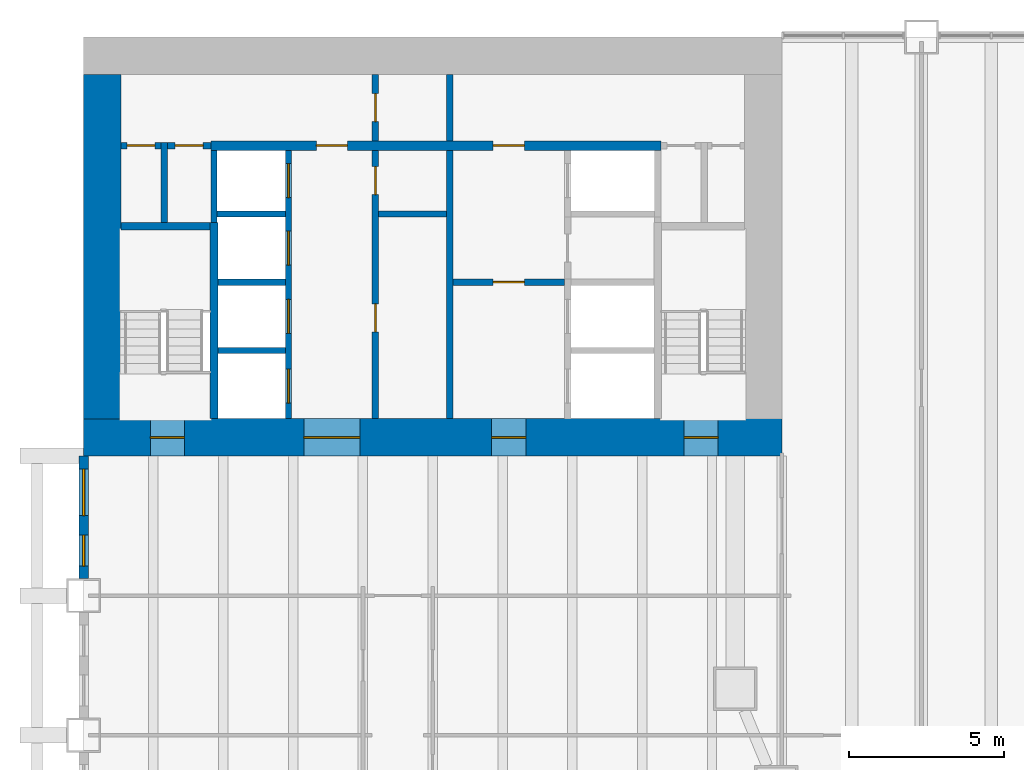
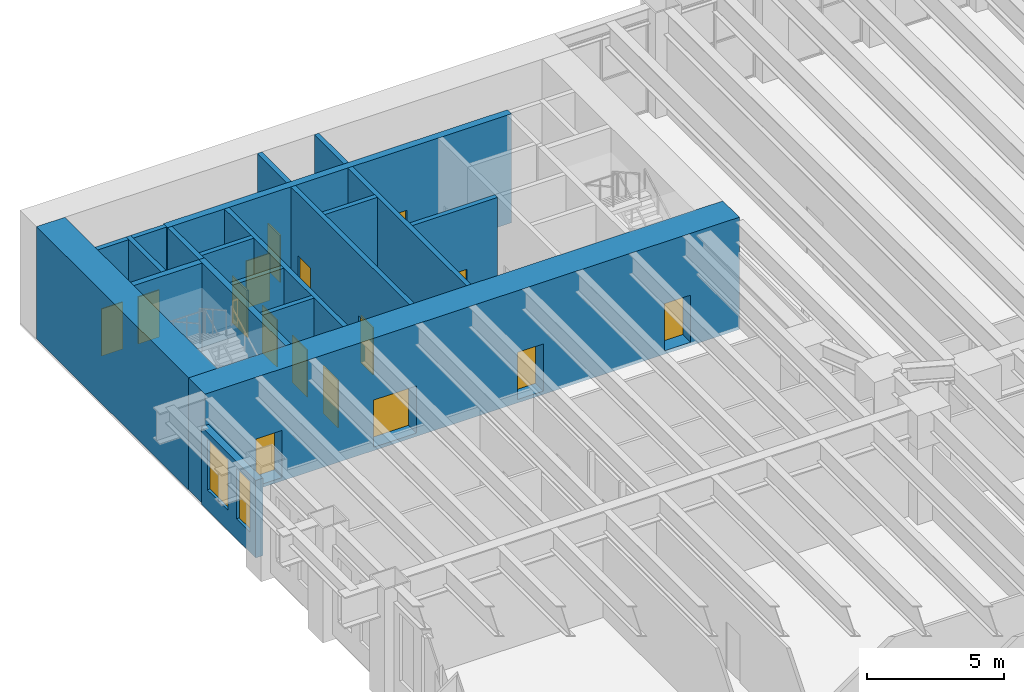
# One storey, part 15 of 21: 20 walls, 16 doors, 2 windows, 18 openings.
"""IFC4 building model written with IfcOpenShell, lengths in metres."""

from ifc_helpers import new_model, si_unit, direction, frame, frame_2d, origin, place, context, subcontext, project, spatial, rectangle, extrude, material, layer, layer_set, type_object, element, fill, save


model = new_model("IFC4")

# Units and contexts
model_context = context("Model", 3, precision=1e-05, world=origin(), true_north=direction((0.0, 1.0)))
body_context = subcontext(model_context, "Body", "Model", "MODEL_VIEW")
ifc_project = project(units=[si_unit("LENGTHUNIT", "METRE"), si_unit("AREAUNIT", "SQUARE_METRE"), si_unit("VOLUMEUNIT", "CUBIC_METRE"), si_unit("PLANEANGLEUNIT", "RADIAN"), si_unit("MASSUNIT", "GRAM", prefix="KILO")], contexts=[model_context])

# Site, building, storey
site_placement = place(None, origin())
site = spatial("IfcSite", under=ifc_project, at=site_placement, CompositionType="ELEMENT")
building_placement = place(site_placement, origin())
building = spatial("IfcBuilding", under=site, at=building_placement, Name="Sennacour Bend Tower", CompositionType="ELEMENT")
storey_placement = place(building_placement, frame((0.0, 0.0, 24.0)))
storey = spatial("IfcBuildingStorey", under=building, at=storey_placement, Name="L04", CompositionType="ELEMENT", Elevation=24.0)

# Wall, openings, doors
ifc_material_1 = material(Name="Concrete C80/95", Category="concrete")
ifc_layer_1 = layer(ifc_material_1, 1.199951171875, Name="Concrete C80/95", Category="concrete")
ifc_layer_set_1 = layer_set([ifc_layer_1], Name="Concrete C80/95")
wall_type_1 = type_object("IfcWallType", Name="Core wall 1200 C80/95", PredefinedType="SHEAR", material=ifc_layer_set_1)
wall_1_placement = place(storey_placement, frame((0.0, 36.60009765625, -0.14990234375), z_axis=(0.0, 0.0, 1.0), x_axis=(1.0, 0.0, 0.0)))
wall_1 = element("IfcWall", 1, at=wall_1_placement, inside=storey, type_object=wall_type_1, Name="Core B wall L04 S", PredefinedType="SHEAR", context=body_context, shape_type="SweptSolid", body=[
    extrude(rectangle(XDim=22.5, YDim=1.199951171875, at=frame_2d((11.25, 0.0))), origin(), (0.0, 0.0, 1.0), 5.0),
])
opening_1_placement = place(wall_1_placement, frame((7.10009765625, 0.0, 0.14990234375)))
opening_1 = element("IfcOpeningElement", 2, at=opening_1_placement, cuts=wall_1, Name="Opening CD", PredefinedType="OPENING", context=body_context, shape_type="SweptSolid", body=[
    extrude(rectangle(XDim=1.800048828125, YDim=2.10009765625, at=frame_2d((0.89990234375, 1.050048828125))), frame((0.0, 0.60986328125, 0.0), z_axis=(0.0, -1.0, 0.0), x_axis=(1.0, 0.0, 0.0)), (0.0, 0.0, 1.0), 1.219970703125),
])
opening_2_placement = place(wall_1_placement, frame((13.14990234375, 0.0, 0.14990234375)))
opening_2 = element("IfcOpeningElement", 3, at=opening_2_placement, cuts=wall_1, Name="Opening FD", PredefinedType="OPENING", context=body_context, shape_type="SweptSolid", body=[
    extrude(rectangle(XDim=1.10009765625, YDim=2.10009765625, at=frame_2d((0.550048828125, 1.050048828125))), frame((0.0, 0.60986328125, 0.0), z_axis=(0.0, -1.0, 0.0), x_axis=(1.0, 0.0, 0.0)), (0.0, 0.0, 1.0), 1.219970703125),
])
opening_3_placement = place(wall_1_placement, frame((2.14990234375, 0.0, 0.14990234375)))
opening_3 = element("IfcOpeningElement", 4, at=opening_3_placement, cuts=wall_1, Name="Opening SD", PredefinedType="OPENING", context=body_context, shape_type="SweptSolid", body=[
    extrude(rectangle(XDim=1.10009765625, YDim=2.10009765625, at=frame_2d((0.550048828125, 1.050048828125))), frame((0.0, 0.60986328125, 0.0), z_axis=(0.0, -1.0, 0.0), x_axis=(1.0, 0.0, 0.0)), (0.0, 0.0, 1.0), 1.219970703125),
])
opening_4_placement = place(wall_1_placement, frame((19.35009765625, 0.0, 0.14990234375)))
opening_4 = element("IfcOpeningElement", 5, at=opening_4_placement, cuts=wall_1, Name="Opening SD", PredefinedType="OPENING", context=body_context, shape_type="SweptSolid", body=[
    extrude(rectangle(XDim=1.10009765625, YDim=2.10009765625, at=frame_2d((0.550048828125, 1.050048828125))), frame((0.0, 0.60986328125, 0.0), z_axis=(0.0, -1.0, 0.0), x_axis=(1.0, 0.0, 0.0)), (0.0, 0.0, 1.0), 1.219970703125),
])
ifc_material_2 = material(Name="Painted steel", Category="steel")
door_type_1 = type_object("IfcDoorType", Name="DR-FFL-1100", OperationType="NOTDEFINED", PredefinedType="DOOR", material=ifc_material_2)
door_1_placement = place(opening_2_placement, origin())
door_1 = element("IfcDoor", 6, at=door_1_placement, inside=storey, type_object=door_type_1, Name="Door", OperationType="SINGLE_SWING_RIGHT", OverallHeight=2.10009765625, OverallWidth=1.10009765625, PredefinedType="DOOR", context=body_context, shape_type="SweptSolid", body=[
    extrude(rectangle(XDim=1.10009765625, YDim=2.10009765625, at=frame_2d((0.550048828125, 1.050048828125))), frame((0.0, 0.02490234375, 0.0), z_axis=(0.0, -1.0, 0.0), x_axis=(1.0, 0.0, 0.0)), (0.0, 0.0, 1.0), 0.050048828125),
])
fill(opening_2, door_1)
door_type_2 = type_object("IfcDoorType", Name="DR-LOBBY-1800", OperationType="NOTDEFINED", PredefinedType="DOOR", material=ifc_material_2)
door_2_placement = place(opening_1_placement, origin())
door_2 = element("IfcDoor", 7, at=door_2_placement, inside=storey, type_object=door_type_2, Name="Door", OperationType="DOUBLE_DOOR_SINGLE_SWING", OverallHeight=2.10009765625, OverallWidth=1.800048828125, PredefinedType="DOOR", context=body_context, shape_type="SweptSolid", body=[
    extrude(rectangle(XDim=1.800048828125, YDim=2.10009765625, at=frame_2d((0.89990234375, 1.050048828125))), frame((0.0, 0.02490234375, 0.0), z_axis=(0.0, -1.0, 0.0), x_axis=(1.0, 0.0, 0.0)), (0.0, 0.0, 1.0), 0.050048828125),
])
fill(opening_1, door_2)
door_type_3 = type_object("IfcDoorType", Name="DR-STAIR-1100", OperationType="NOTDEFINED", PredefinedType="DOOR", material=ifc_material_2)
door_3_placement = place(opening_3_placement, origin())
door_3 = element("IfcDoor", 8, at=door_3_placement, inside=storey, type_object=door_type_3, Name="Door", OperationType="SINGLE_SWING_LEFT", OverallHeight=2.10009765625, OverallWidth=1.10009765625, PredefinedType="DOOR", context=body_context, shape_type="SweptSolid", body=[
    extrude(rectangle(XDim=1.10009765625, YDim=2.10009765625, at=frame_2d((0.550048828125, 1.050048828125))), frame((0.0, 0.02490234375, 0.0), z_axis=(0.0, -1.0, 0.0), x_axis=(1.0, 0.0, 0.0)), (0.0, 0.0, 1.0), 0.050048828125),
])
fill(opening_3, door_3)
door_4_placement = place(opening_4_placement, origin())
door_4 = element("IfcDoor", 9, at=door_4_placement, inside=storey, type_object=door_type_3, Name="Door", OperationType="SINGLE_SWING_RIGHT", OverallHeight=2.10009765625, OverallWidth=1.10009765625, PredefinedType="DOOR", context=body_context, shape_type="SweptSolid", body=[
    extrude(rectangle(XDim=1.10009765625, YDim=2.10009765625, at=frame_2d((0.550048828125, 1.050048828125))), frame((0.0, 0.02490234375, 0.0), z_axis=(0.0, -1.0, 0.0), x_axis=(1.0, 0.0, 0.0)), (0.0, 0.0, 1.0), 0.050048828125),
])
fill(opening_4, door_4)

# Walls
wall_2_placement = place(storey_placement, frame((0.60009765625, 37.199951171875, -0.14990234375), z_axis=(0.0, 0.0, 1.0), x_axis=(0.0, 1.0, 0.0)))
element("IfcWall", 10, at=wall_2_placement, inside=storey, type_object=wall_type_1, Name="Core B wall L04 W", PredefinedType="SHEAR", context=body_context, shape_type="SweptSolid", body=[
    extrude(rectangle(XDim=11.10009765625, YDim=1.199951171875, at=frame_2d((5.550048828125, 0.0))), origin(), (0.0, 0.0, 1.0), 5.0),
])
ifc_material_3 = material(Name="Fire-rated plasterboard partition on steel studs", Category="steel")
ifc_layer_2 = layer(ifc_material_3, 0.199951171875, Name="Fire-rated plasterboard partition on steel studs", Category="steel")
ifc_layer_set_2 = layer_set([ifc_layer_2], Name="Fire-rated plasterboard partition on steel studs")
wall_type_2 = type_object("IfcWallType", Name="Rated partition 200", PredefinedType="PARTITIONING", material=ifc_layer_set_2)
wall_3_placement = place(storey_placement, frame((2.60009765625, 43.52490234375, 0.0), z_axis=(0.0, 0.0, 1.0), x_axis=(0.0, 1.0, 0.0)))
element("IfcWall", 11, at=wall_3_placement, inside=storey, type_object=wall_type_2, Name="P-L04-W003", PredefinedType="PARTITIONING", context=body_context, shape_type="SweptSolid", body=[
    extrude(rectangle(XDim=2.5751953125, YDim=0.199951171875, at=frame_2d((1.28759765625, 0.0))), origin(), (0.0, 0.0, 1.0), 4.85009765625),
])

# Wall, openings, doors
wall_4_placement = place(storey_placement, frame((9.39990234375, 37.199951171875, 0.0), z_axis=(0.0, 0.0, 1.0), x_axis=(0.0, 1.0, 0.0)))
wall_4 = element("IfcWall", 12, at=wall_4_placement, inside=storey, type_object=wall_type_2, Name="P-L04-W011a", PredefinedType="PARTITIONING", context=body_context, shape_type="SweptSolid", body=[
    extrude(rectangle(XDim=8.650146484375, YDim=0.199951171875, at=frame_2d((4.3251953125, 0.0))), origin(), (0.0, 0.0, 1.0), 4.85009765625),
])
opening_5_placement = place(wall_4_placement, frame((2.800048828125, 0.0, 0.0)))
opening_5 = element("IfcOpeningElement", 13, at=opening_5_placement, cuts=wall_4, Name="Opening SV", PredefinedType="OPENING", context=body_context, shape_type="SweptSolid", body=[
    extrude(rectangle(XDim=0.89990234375, YDim=2.10009765625, at=frame_2d((0.449951171875, 1.050048828125))), frame((0.0, 0.10986328125, 0.0), z_axis=(0.0, -1.0, 0.0), x_axis=(1.0, 0.0, 0.0)), (0.0, 0.0, 1.0), 0.219970703125),
])
opening_6_placement = place(wall_4_placement, frame((7.22509765625, 0.0, 0.0)))
opening_6 = element("IfcOpeningElement", 14, at=opening_6_placement, cuts=wall_4, Name="Opening SV", PredefinedType="OPENING", context=body_context, shape_type="SweptSolid", body=[
    extrude(rectangle(XDim=0.89990234375, YDim=2.10009765625, at=frame_2d((0.449951171875, 1.050048828125))), frame((0.0, 0.10986328125, 0.0), z_axis=(0.0, -1.0, 0.0), x_axis=(1.0, 0.0, 0.0)), (0.0, 0.0, 1.0), 0.219970703125),
])
door_type_4 = type_object("IfcDoorType", Name="DR-SERVICE-900", OperationType="NOTDEFINED", PredefinedType="DOOR", material=ifc_material_2)
door_5_placement = place(opening_5_placement, origin())
door_5 = element("IfcDoor", 15, at=door_5_placement, inside=storey, type_object=door_type_4, Name="Door", OperationType="SINGLE_SWING_LEFT", OverallHeight=2.10009765625, OverallWidth=0.89990234375, PredefinedType="DOOR", context=body_context, shape_type="SweptSolid", body=[
    extrude(rectangle(XDim=0.89990234375, YDim=2.10009765625, at=frame_2d((0.449951171875, 1.050048828125))), frame((0.0, 0.02490234375, 0.0), z_axis=(0.0, -1.0, 0.0), x_axis=(1.0, 0.0, 0.0)), (0.0, 0.0, 1.0), 0.050048828125),
])
fill(opening_5, door_5)
door_6_placement = place(opening_6_placement, origin())
door_6 = element("IfcDoor", 16, at=door_6_placement, inside=storey, type_object=door_type_4, Name="Door", OperationType="SINGLE_SWING_RIGHT", OverallHeight=2.10009765625, OverallWidth=0.89990234375, PredefinedType="DOOR", context=body_context, shape_type="SweptSolid", body=[
    extrude(rectangle(XDim=0.89990234375, YDim=2.10009765625, at=frame_2d((0.449951171875, 1.050048828125))), frame((0.0, 0.02490234375, 0.0), z_axis=(0.0, -1.0, 0.0), x_axis=(1.0, 0.0, 0.0)), (0.0, 0.0, 1.0), 0.050048828125),
])
fill(opening_6, door_6)

# Wall, opening, door
wall_5_placement = place(storey_placement, frame((9.39990234375, 46.14990234375, 0.0), z_axis=(0.0, 0.0, 1.0), x_axis=(0.0, 1.0, 0.0)))
wall_5 = element("IfcWall", 17, at=wall_5_placement, inside=storey, type_object=wall_type_2, Name="P-L04-W011b", PredefinedType="PARTITIONING", context=body_context, shape_type="SweptSolid", body=[
    extrude(rectangle(XDim=2.150146484375, YDim=0.199951171875, at=frame_2d((1.0751953125, 0.0))), origin(), (0.0, 0.0, 1.0), 4.85009765625),
])
opening_7_placement = place(wall_5_placement, frame((0.625, 0.0, 0.0)))
opening_7 = element("IfcOpeningElement", 18, at=opening_7_placement, cuts=wall_5, Name="Opening SV", PredefinedType="OPENING", context=body_context, shape_type="SweptSolid", body=[
    extrude(rectangle(XDim=0.89990234375, YDim=2.10009765625, at=frame_2d((0.449951171875, 1.050048828125))), frame((0.0, 0.10986328125, 0.0), z_axis=(0.0, -1.0, 0.0), x_axis=(1.0, 0.0, 0.0)), (0.0, 0.0, 1.0), 0.219970703125),
])
door_7_placement = place(opening_7_placement, origin())
door_7 = element("IfcDoor", 19, at=door_7_placement, inside=storey, type_object=door_type_4, Name="Door", OperationType="SINGLE_SWING_LEFT", OverallHeight=2.10009765625, OverallWidth=0.89990234375, PredefinedType="DOOR", context=body_context, shape_type="SweptSolid", body=[
    extrude(rectangle(XDim=0.89990234375, YDim=2.10009765625, at=frame_2d((0.449951171875, 1.050048828125))), frame((0.0, 0.02490234375, 0.0), z_axis=(0.0, -1.0, 0.0), x_axis=(1.0, 0.0, 0.0)), (0.0, 0.0, 1.0), 0.050048828125),
])
fill(opening_7, door_7)

# Walls
wall_6_placement = place(storey_placement, frame((11.800048828125, 37.199951171875, 0.0), z_axis=(0.0, 0.0, 1.0), x_axis=(0.0, 1.0, 0.0)))
element("IfcWall", 20, at=wall_6_placement, inside=storey, type_object=wall_type_2, Name="P-L04-W013a", PredefinedType="PARTITIONING", context=body_context, shape_type="SweptSolid", body=[
    extrude(rectangle(XDim=8.650146484375, YDim=0.199951171875, at=frame_2d((4.3251953125, 0.0))), origin(), (0.0, 0.0, 1.0), 4.85009765625),
])
wall_7_placement = place(storey_placement, frame((11.800048828125, 46.14990234375, 0.0), z_axis=(0.0, 0.0, 1.0), x_axis=(0.0, 1.0, 0.0)))
element("IfcWall", 21, at=wall_7_placement, inside=storey, type_object=wall_type_2, Name="P-L04-W013b", PredefinedType="PARTITIONING", context=body_context, shape_type="SweptSolid", body=[
    extrude(rectangle(XDim=2.150146484375, YDim=0.199951171875, at=frame_2d((1.0751953125, 0.0))), origin(), (0.0, 0.0, 1.0), 4.85009765625),
])
wall_8_placement = place(storey_placement, frame((9.5, 43.800048828125, 0.0), z_axis=(0.0, 0.0, 1.0), x_axis=(1.0, 0.0, 0.0)))
element("IfcWall", 22, at=wall_8_placement, inside=storey, type_object=wall_type_2, Name="P-L04-W079", PredefinedType="PARTITIONING", context=body_context, shape_type="SweptSolid", body=[
    extrude(rectangle(XDim=2.199951171875, YDim=0.199951171875, at=frame_2d((1.10009765625, 0.0))), origin(), (0.0, 0.0, 1.0), 4.85009765625),
])

# Wall, opening, door
wall_9_placement = place(storey_placement, frame((1.199951171875, 46.0, 0.0), z_axis=(0.0, 0.0, 1.0), x_axis=(1.0, 0.0, 0.0)))
wall_9 = element("IfcWall", 23, at=wall_9_placement, inside=storey, type_object=wall_type_2, Name="P-L04-W081a", PredefinedType="PARTITIONING", context=body_context, shape_type="SweptSolid", body=[
    extrude(rectangle(XDim=1.300048828125, YDim=0.199951171875, at=frame_2d((0.64990234375, 0.0))), origin(), (0.0, 0.0, 1.0), 4.85009765625),
])
opening_8_placement = place(wall_9_placement, frame((0.199951171875, 0.0, 0.0)))
opening_8 = element("IfcOpeningElement", 24, at=opening_8_placement, cuts=wall_9, Name="Opening SV", PredefinedType="OPENING", context=body_context, shape_type="SweptSolid", body=[
    extrude(rectangle(XDim=0.89990234375, YDim=2.10009765625, at=frame_2d((0.449951171875, 1.050048828125))), frame((0.0, 0.10986328125, 0.0), z_axis=(0.0, -1.0, 0.0), x_axis=(1.0, 0.0, 0.0)), (0.0, 0.0, 1.0), 0.219970703125),
])
door_8_placement = place(opening_8_placement, origin())
door_8 = element("IfcDoor", 25, at=door_8_placement, inside=storey, type_object=door_type_4, Name="Door", OperationType="SINGLE_SWING_LEFT", OverallHeight=2.10009765625, OverallWidth=0.89990234375, PredefinedType="DOOR", context=body_context, shape_type="SweptSolid", body=[
    extrude(rectangle(XDim=0.89990234375, YDim=2.10009765625, at=frame_2d((0.449951171875, 1.050048828125))), frame((0.0, 0.02490234375, 0.0), z_axis=(0.0, -1.0, 0.0), x_axis=(1.0, 0.0, 0.0)), (0.0, 0.0, 1.0), 0.050048828125),
])
fill(opening_8, door_8)

wall_10_placement = place(storey_placement, frame((2.699951171875, 46.0, 0.0), z_axis=(0.0, 0.0, 1.0), x_axis=(1.0, 0.0, 0.0)))
wall_10 = element("IfcWall", 26, at=wall_10_placement, inside=storey, type_object=wall_type_2, Name="P-L04-W081b", PredefinedType="PARTITIONING", context=body_context, shape_type="SweptSolid", body=[
    extrude(rectangle(XDim=1.400146484375, YDim=0.199951171875, at=frame_2d((0.7001953125, 0.0))), origin(), (0.0, 0.0, 1.0), 4.85009765625),
])
opening_9_placement = place(wall_10_placement, frame((0.25, 0.0, 0.0)))
opening_9 = element("IfcOpeningElement", 27, at=opening_9_placement, cuts=wall_10, Name="Opening WD", PredefinedType="OPENING", context=body_context, shape_type="SweptSolid", body=[
    extrude(rectangle(XDim=0.89990234375, YDim=2.10009765625, at=frame_2d((0.449951171875, 1.050048828125))), frame((0.0, 0.10986328125, 0.0), z_axis=(0.0, -1.0, 0.0), x_axis=(1.0, 0.0, 0.0)), (0.0, 0.0, 1.0), 0.219970703125),
])
ifc_material_4 = material(Name="Timber", Category="wood")
door_type_5 = type_object("IfcDoorType", Name="DR-WC-900", OperationType="NOTDEFINED", PredefinedType="DOOR", material=ifc_material_4)
door_9_placement = place(opening_9_placement, origin())
door_9 = element("IfcDoor", 28, at=door_9_placement, inside=storey, type_object=door_type_5, Name="Door", OperationType="SINGLE_SWING_LEFT", OverallHeight=2.10009765625, OverallWidth=0.89990234375, PredefinedType="DOOR", context=body_context, shape_type="SweptSolid", body=[
    extrude(rectangle(XDim=0.89990234375, YDim=2.10009765625, at=frame_2d((0.449951171875, 1.050048828125))), frame((0.0, 0.02490234375, 0.0), z_axis=(0.0, -1.0, 0.0), x_axis=(1.0, 0.0, 0.0)), (0.0, 0.0, 1.0), 0.050048828125),
])
fill(opening_9, door_9)

ifc_layer_3 = layer(ifc_material_3, 0.199951171875, Name="Fire-rated plasterboard partition on steel studs", Category="steel")
ifc_layer_set_3 = layer_set([ifc_layer_3], Name="Fire-rated plasterboard partition on steel studs")
wall_type_3 = type_object("IfcWallType", Name="Rated partition 200 EI 90", PredefinedType="PARTITIONING", material=ifc_layer_set_3)
wall_11_placement = place(storey_placement, frame((11.89990234375, 41.60009765625, 0.0), z_axis=(0.0, 0.0, 1.0), x_axis=(1.0, 0.0, 0.0)))
wall_11 = element("IfcWall", 29, at=wall_11_placement, inside=storey, type_object=wall_type_3, Name="P-L04-W074", PredefinedType="PARTITIONING", context=body_context, shape_type="SweptSolid", body=[
    extrude(rectangle(XDim=3.60009765625, YDim=0.199951171875, at=frame_2d((1.800048828125, 0.0))), origin(), (0.0, 0.0, 1.0), 4.85009765625),
])
opening_10_placement = place(wall_11_placement, frame((1.300048828125, 0.0, 0.0)))
opening_10 = element("IfcOpeningElement", 30, at=opening_10_placement, cuts=wall_11, Name="Opening FD2", PredefinedType="OPENING", context=body_context, shape_type="SweptSolid", body=[
    extrude(rectangle(XDim=1.0, YDim=2.10009765625, at=frame_2d((0.5, 1.050048828125))), frame((0.0, 0.10986328125, 0.0), z_axis=(0.0, -1.0, 0.0), x_axis=(1.0, 0.0, 0.0)), (0.0, 0.0, 1.0), 0.219970703125),
])
door_type_6 = type_object("IfcDoorType", Name="DR-FFL-1000", OperationType="NOTDEFINED", PredefinedType="DOOR", material=ifc_material_2)
door_10_placement = place(opening_10_placement, origin())
door_10 = element("IfcDoor", 31, at=door_10_placement, inside=storey, type_object=door_type_6, Name="Door", OperationType="SINGLE_SWING_LEFT", OverallHeight=2.10009765625, OverallWidth=1.0, PredefinedType="DOOR", context=body_context, shape_type="SweptSolid", body=[
    extrude(rectangle(XDim=1.0, YDim=2.10009765625, at=frame_2d((0.5, 1.050048828125))), frame((0.0, 0.02490234375, 0.0), z_axis=(0.0, -1.0, 0.0), x_axis=(1.0, 0.0, 0.0)), (0.0, 0.0, 1.0), 0.050048828125),
])
fill(opening_10, door_10)

# Wall, openings, windows
ifc_material_5 = material(Name="Warm limestone cladding", Category="masonry")
ifc_layer_4 = layer(ifc_material_5, 0.050048828125, Name="Warm limestone cladding", Category="masonry")
ifc_material_6 = material(Name="Precast concrete C40/50", Category="concrete")
ifc_layer_5 = layer(ifc_material_6, 0.25, Name="Precast concrete C40/50", Category="concrete")
ifc_layer_set_4 = layer_set([ifc_layer_4, ifc_layer_5], Name="Precast concrete C40/50 with limestone cladding")
wall_type_4 = type_object("IfcWallType", Name="STONE-CLAD PRECAST SPANDREL 300", PredefinedType="STANDARD", material=ifc_layer_set_4)
wall_12_placement = place(storey_placement, frame((0.0, 35.9990234375, 0.0), z_axis=(0.0, 0.0, 1.0), x_axis=(0.0, -1.0, 0.0)))
wall_12 = element("IfcWall", 32, at=wall_12_placement, inside=storey, type_object=wall_type_4, Name="Stone spandrel and pier wall L04 02.00", PredefinedType="STANDARD", context=body_context, shape_type="SweptSolid", body=[
    extrude(rectangle(XDim=3.948974609375, YDim=0.300048828125, at=frame_2d((1.974609375, 0.0))), origin(), (0.0, 0.0, 1.0), 3.449951171875),
])
opening_11_placement = place(wall_12_placement, frame((0.424560546875, 0.0, 0.89990234375)))
opening_11 = element("IfcOpeningElement", 33, at=opening_11_placement, cuts=wall_12, Name="Opening W5", PredefinedType="OPENING", context=body_context, shape_type="SweptSolid", body=[
    extrude(rectangle(XDim=1.5, YDim=2.25, at=frame_2d((0.75, 1.125))), frame((0.0, 0.16015625, 0.0), z_axis=(0.0, -1.0, 0.0), x_axis=(1.0, 0.0, 0.0)), (0.0, 0.0, 1.0), 0.320068359375),
])
opening_12_placement = place(wall_12_placement, frame((2.549072265625, 0.0, 0.89990234375)))
opening_12 = element("IfcOpeningElement", 34, at=opening_12_placement, cuts=wall_12, Name="Opening W6", PredefinedType="OPENING", context=body_context, shape_type="SweptSolid", body=[
    extrude(rectangle(XDim=1.0, YDim=2.25, at=frame_2d((0.5, 1.125))), frame((0.0, 0.16015625, 0.0), z_axis=(0.0, -1.0, 0.0), x_axis=(1.0, 0.0, 0.0)), (0.0, 0.0, 1.0), 0.320068359375),
])
ifc_material_7 = material(Name="Clear low-emissivity glass", Category="glass")
window_type_1 = type_object("IfcWindowType", Name="WIN-RIBBON-1000x2250", PartitioningType="SINGLE_PANEL", PredefinedType="WINDOW", material=ifc_material_7)
window_1_placement = place(opening_12_placement, origin())
window_1 = element("IfcWindow", 35, at=window_1_placement, inside=storey, type_object=window_type_1, Name="Ribbon window L04 02.00.1", OverallHeight=2.25, OverallWidth=1.0, PartitioningType="SINGLE_PANEL", PredefinedType="WINDOW", context=body_context, shape_type="SweptSolid", body=[
    extrude(rectangle(XDim=1.0, YDim=2.25, at=frame_2d((0.5, 1.125))), frame((0.0, 0.030029296875, 0.0), z_axis=(0.0, -1.0, 0.0), x_axis=(1.0, 0.0, 0.0)), (0.0, 0.0, 1.0), 0.06005859375),
])
fill(opening_12, window_1)
window_type_2 = type_object("IfcWindowType", Name="WIN-RIBBON-1500x2250", PartitioningType="SINGLE_PANEL", PredefinedType="WINDOW", material=ifc_material_7)
window_2_placement = place(opening_11_placement, origin())
window_2 = element("IfcWindow", 36, at=window_2_placement, inside=storey, type_object=window_type_2, Name="Ribbon window L04 02.00.0", OverallHeight=2.25, OverallWidth=1.5, PartitioningType="SINGLE_PANEL", PredefinedType="WINDOW", context=body_context, shape_type="SweptSolid", body=[
    extrude(rectangle(XDim=1.5, YDim=2.25, at=frame_2d((0.75, 1.125))), frame((0.0, 0.030029296875, 0.0), z_axis=(0.0, -1.0, 0.0), x_axis=(1.0, 0.0, 0.0)), (0.0, 0.0, 1.0), 0.06005859375),
])
fill(opening_11, window_2)

# Wall
ifc_material_8 = material(Name="Concrete C50/60", Category="concrete")
ifc_layer_6 = layer(ifc_material_8, 0.199951171875, Name="Concrete C50/60", Category="concrete")
ifc_layer_set_5 = layer_set([ifc_layer_6], Name="Concrete C50/60")
wall_type_5 = type_object("IfcWallType", Name="Shaft wall 200", PredefinedType="SOLIDWALL", material=ifc_layer_set_5)
wall_13_placement = place(storey_placement, frame((4.199951171875, 43.52490234375, 0.0), z_axis=(0.0, 0.0, 1.0), x_axis=(0.0, 1.0, 0.0)))
element("IfcWall", 37, at=wall_13_placement, inside=storey, type_object=wall_type_5, Name="P-L04-W005", PredefinedType="SOLIDWALL", context=body_context, shape_type="SweptSolid", body=[
    extrude(rectangle(XDim=2.3251953125, YDim=0.199951171875, at=frame_2d((1.16259765625, 0.0))), origin(), (0.0, 0.0, 1.0), 4.85009765625),
])

# Wall, openings, doors
wall_14_placement = place(storey_placement, frame((6.60009765625, 37.199951171875, 0.0), z_axis=(0.0, 0.0, 1.0), x_axis=(0.0, 1.0, 0.0)))
wall_14 = element("IfcWall", 38, at=wall_14_placement, inside=storey, type_object=wall_type_5, Name="P-L04-W006", PredefinedType="SOLIDWALL", context=body_context, shape_type="SweptSolid", body=[
    extrude(rectangle(XDim=8.650146484375, YDim=0.199951171875, at=frame_2d((4.3251953125, 0.0))), origin(), (0.0, 0.0, 1.0), 4.85009765625),
])
opening_13_placement = place(wall_14_placement, frame((0.5, 0.0, 0.011962890625)))
opening_13 = element("IfcOpeningElement", 39, at=opening_13_placement, cuts=wall_14, Name="Opening LD", PredefinedType="OPENING", context=body_context, shape_type="SweptSolid", body=[
    extrude(rectangle(XDim=1.10009765625, YDim=2.10009765625, at=frame_2d((0.550048828125, 1.050048828125))), frame((0.0, 0.10986328125, 0.0), z_axis=(0.0, -1.0, 0.0), x_axis=(1.0, 0.0, 0.0)), (0.0, 0.0, 1.0), 0.219970703125),
])
opening_14_placement = place(wall_14_placement, frame((2.75, 0.0, 0.011962890625)))
opening_14 = element("IfcOpeningElement", 40, at=opening_14_placement, cuts=wall_14, Name="Opening LD", PredefinedType="OPENING", context=body_context, shape_type="SweptSolid", body=[
    extrude(rectangle(XDim=1.10009765625, YDim=2.10009765625, at=frame_2d((0.550048828125, 1.050048828125))), frame((0.0, 0.10986328125, 0.0), z_axis=(0.0, -1.0, 0.0), x_axis=(1.0, 0.0, 0.0)), (0.0, 0.0, 1.0), 0.219970703125),
])
opening_15_placement = place(wall_14_placement, frame((4.949951171875, 0.0, 0.011962890625)))
opening_15 = element("IfcOpeningElement", 41, at=opening_15_placement, cuts=wall_14, Name="Opening LD", PredefinedType="OPENING", context=body_context, shape_type="SweptSolid", body=[
    extrude(rectangle(XDim=1.10009765625, YDim=2.10009765625, at=frame_2d((0.550048828125, 1.050048828125))), frame((0.0, 0.10986328125, 0.0), z_axis=(0.0, -1.0, 0.0), x_axis=(1.0, 0.0, 0.0)), (0.0, 0.0, 1.0), 0.219970703125),
])
opening_16_placement = place(wall_14_placement, frame((7.125, 0.0, 0.011962890625)))
opening_16 = element("IfcOpeningElement", 42, at=opening_16_placement, cuts=wall_14, Name="Opening LD", PredefinedType="OPENING", context=body_context, shape_type="SweptSolid", body=[
    extrude(rectangle(XDim=1.10009765625, YDim=2.10009765625, at=frame_2d((0.550048828125, 1.050048828125))), frame((0.0, 0.10986328125, 0.0), z_axis=(0.0, -1.0, 0.0), x_axis=(1.0, 0.0, 0.0)), (0.0, 0.0, 1.0), 0.219970703125),
])
ifc_material_9 = material(Name="Stainless steel", Category="steel")
door_type_7 = type_object("IfcDoorType", Name="DR-LANDING-1100", OperationType="NOTDEFINED", PredefinedType="DOOR", material=ifc_material_9)
door_11_placement = place(opening_13_placement, origin())
door_11 = element("IfcDoor", 43, at=door_11_placement, inside=storey, type_object=door_type_7, Name="Lift landing door LB1", OperationType="SLIDING_TO_LEFT", OverallHeight=2.10009765625, OverallWidth=1.10009765625, PredefinedType="DOOR", context=body_context, shape_type="SweptSolid", body=[
    extrude(rectangle(XDim=1.10009765625, YDim=2.10009765625, at=frame_2d((0.550048828125, 1.050048828125))), frame((0.0, 0.02490234375, 0.0), z_axis=(0.0, -1.0, 0.0), x_axis=(1.0, 0.0, 0.0)), (0.0, 0.0, 1.0), 0.050048828125),
])
fill(opening_13, door_11)
door_12_placement = place(opening_14_placement, origin())
door_12 = element("IfcDoor", 44, at=door_12_placement, inside=storey, type_object=door_type_7, Name="Lift landing door LB2", OperationType="SLIDING_TO_RIGHT", OverallHeight=2.10009765625, OverallWidth=1.10009765625, PredefinedType="DOOR", context=body_context, shape_type="SweptSolid", body=[
    extrude(rectangle(XDim=1.10009765625, YDim=2.10009765625, at=frame_2d((0.550048828125, 1.050048828125))), frame((0.0, 0.02490234375, 0.0), z_axis=(0.0, -1.0, 0.0), x_axis=(1.0, 0.0, 0.0)), (0.0, 0.0, 1.0), 0.050048828125),
])
fill(opening_14, door_12)
door_13_placement = place(opening_15_placement, origin())
door_13 = element("IfcDoor", 45, at=door_13_placement, inside=storey, type_object=door_type_7, Name="Lift landing door LB3", OperationType="SLIDING_TO_LEFT", OverallHeight=2.10009765625, OverallWidth=1.10009765625, PredefinedType="DOOR", context=body_context, shape_type="SweptSolid", body=[
    extrude(rectangle(XDim=1.10009765625, YDim=2.10009765625, at=frame_2d((0.550048828125, 1.050048828125))), frame((0.0, 0.02490234375, 0.0), z_axis=(0.0, -1.0, 0.0), x_axis=(1.0, 0.0, 0.0)), (0.0, 0.0, 1.0), 0.050048828125),
])
fill(opening_15, door_13)
door_14_placement = place(opening_16_placement, origin())
door_14 = element("IfcDoor", 46, at=door_14_placement, inside=storey, type_object=door_type_7, Name="Lift landing door LB4", OperationType="SLIDING_TO_RIGHT", OverallHeight=2.10009765625, OverallWidth=1.10009765625, PredefinedType="DOOR", context=body_context, shape_type="SweptSolid", body=[
    extrude(rectangle(XDim=1.10009765625, YDim=2.10009765625, at=frame_2d((0.550048828125, 1.050048828125))), frame((0.0, 0.02490234375, 0.0), z_axis=(0.0, -1.0, 0.0), x_axis=(1.0, 0.0, 0.0)), (0.0, 0.0, 1.0), 0.050048828125),
])
fill(opening_16, door_14)

# Walls
for number, where, z_axis, x_axis, name in (
    (47, (4.324951171875, 39.39990234375, 0.0), (0.0, 0.0, 1.0), (1.0, 0.0, 0.0), "P-L04-W071"),
    (48, (4.324951171875, 41.60009765625, 0.0), (0.0, 0.0, 1.0), (1.0, 0.0, 0.0), "P-L04-W073"),
):
    element("IfcWall", number, at=place(storey_placement, frame(where, z_axis=z_axis, x_axis=x_axis)), inside=storey, type_object=wall_type_5, Name=name, PredefinedType="SOLIDWALL", context=body_context, shape_type="SweptSolid", body=[
        extrude(rectangle(XDim=2.175048828125, YDim=0.199951171875, at=frame_2d((1.08740234375, 0.0))), origin(), (0.0, 0.0, 1.0), 4.85009765625),
    ])
wall_15_placement = place(storey_placement, frame((4.300048828125, 43.800048828125, 0.0), z_axis=(0.0, 0.0, 1.0), x_axis=(1.0, 0.0, 0.0)))
element("IfcWall", 49, at=wall_15_placement, inside=storey, type_object=wall_type_5, Name="P-L04-W078", PredefinedType="SOLIDWALL", context=body_context, shape_type="SweptSolid", body=[
    extrude(rectangle(XDim=2.199951171875, YDim=0.199951171875, at=frame_2d((1.10009765625, 0.0))), origin(), (0.0, 0.0, 1.0), 4.85009765625),
])

# Wall, openings, doors
ifc_material_10 = material(Name="Concrete C60/75", Category="concrete")
ifc_layer_7 = layer(ifc_material_10, 0.300048828125, Name="Concrete C60/75", Category="concrete")
ifc_layer_set_6 = layer_set([ifc_layer_7], Name="Concrete C60/75")
wall_type_6 = type_object("IfcWallType", Name="Spine wall 300", PredefinedType="SHEAR", material=ifc_layer_set_6)
wall_16_placement = place(storey_placement, frame((4.10009765625, 46.0, 0.0), z_axis=(0.0, 0.0, 1.0), x_axis=(1.0, 0.0, 0.0)))
wall_16 = element("IfcWall", 50, at=wall_16_placement, inside=storey, type_object=wall_type_6, Name="P-L04-W082", PredefinedType="SHEAR", context=body_context, shape_type="SweptSolid", body=[
    extrude(rectangle(XDim=14.5, YDim=0.300048828125, at=frame_2d((7.25, 0.0))), origin(), (0.0, 0.0, 1.0), 4.85009765625),
])
opening_17_placement = place(wall_16_placement, frame((3.39990234375, 0.0, 0.0)))
opening_17 = element("IfcOpeningElement", 51, at=opening_17_placement, cuts=wall_16, Name="Opening CD2", PredefinedType="OPENING", context=body_context, shape_type="SweptSolid", body=[
    extrude(rectangle(XDim=1.0, YDim=2.10009765625, at=frame_2d((0.5, 1.050048828125))), frame((0.0, 0.16015625, 0.0), z_axis=(0.0, -1.0, 0.0), x_axis=(1.0, 0.0, 0.0)), (0.0, 0.0, 1.0), 0.320068359375),
])
opening_18_placement = place(wall_16_placement, frame((9.099853515625, 0.0, 0.0)))
opening_18 = element("IfcOpeningElement", 52, at=opening_18_placement, cuts=wall_16, Name="Opening CD2", PredefinedType="OPENING", context=body_context, shape_type="SweptSolid", body=[
    extrude(rectangle(XDim=1.0, YDim=2.10009765625, at=frame_2d((0.5, 1.050048828125))), frame((0.0, 0.16015625, 0.0), z_axis=(0.0, -1.0, 0.0), x_axis=(1.0, 0.0, 0.0)), (0.0, 0.0, 1.0), 0.320068359375),
])
door_type_8 = type_object("IfcDoorType", Name="DR-LOBBY-1000", OperationType="NOTDEFINED", PredefinedType="DOOR", material=ifc_material_2)
door_15_placement = place(opening_17_placement, origin())
door_15 = element("IfcDoor", 53, at=door_15_placement, inside=storey, type_object=door_type_8, Name="Door", OperationType="SINGLE_SWING_LEFT", OverallHeight=2.10009765625, OverallWidth=1.0, PredefinedType="DOOR", context=body_context, shape_type="SweptSolid", body=[
    extrude(rectangle(XDim=1.0, YDim=2.10009765625, at=frame_2d((0.5, 1.050048828125))), frame((0.0, 0.02490234375, 0.0), z_axis=(0.0, -1.0, 0.0), x_axis=(1.0, 0.0, 0.0)), (0.0, 0.0, 1.0), 0.050048828125),
])
fill(opening_17, door_15)
door_16_placement = place(opening_18_placement, origin())
door_16 = element("IfcDoor", 54, at=door_16_placement, inside=storey, type_object=door_type_8, Name="Door", OperationType="SINGLE_SWING_RIGHT", OverallHeight=2.10009765625, OverallWidth=1.0, PredefinedType="DOOR", context=body_context, shape_type="SweptSolid", body=[
    extrude(rectangle(XDim=1.0, YDim=2.10009765625, at=frame_2d((0.5, 1.050048828125))), frame((0.0, 0.02490234375, 0.0), z_axis=(0.0, -1.0, 0.0), x_axis=(1.0, 0.0, 0.0)), (0.0, 0.0, 1.0), 0.050048828125),
])
fill(opening_18, door_16)

# Walls
ifc_layer_8 = layer(ifc_material_10, 0.25, Name="Concrete C60/75", Category="concrete")
ifc_layer_set_7 = layer_set([ifc_layer_8], Name="Concrete C60/75")
wall_type_7 = type_object("IfcWallType", Name="Stair wall 250", PredefinedType="SHEAR", material=ifc_layer_set_7)
wall_17_placement = place(storey_placement, frame((4.199951171875, 37.199951171875, 0.0), z_axis=(0.0, 0.0, 1.0), x_axis=(0.0, 1.0, 0.0)))
element("IfcWall", 55, at=wall_17_placement, inside=storey, type_object=wall_type_7, Name="P-L04-W004", PredefinedType="SHEAR", context=body_context, shape_type="SweptSolid", body=[
    extrude(rectangle(XDim=6.324951171875, YDim=0.25, at=frame_2d((3.16259765625, 0.0))), origin(), (0.0, 0.0, 1.0), 4.85009765625),
])
wall_18_placement = place(storey_placement, frame((1.199951171875, 43.39990234375, 0.0), z_axis=(0.0, 0.0, 1.0), x_axis=(1.0, 0.0, 0.0)))
element("IfcWall", 56, at=wall_18_placement, inside=storey, type_object=wall_type_7, Name="P-L04-W076", PredefinedType="SHEAR", context=body_context, shape_type="SweptSolid", body=[
    extrude(rectangle(XDim=2.875, YDim=0.25, at=frame_2d((1.4375, 0.0))), origin(), (0.0, 0.0, 1.0), 4.85009765625),
])

save(model, "model.ifc")
